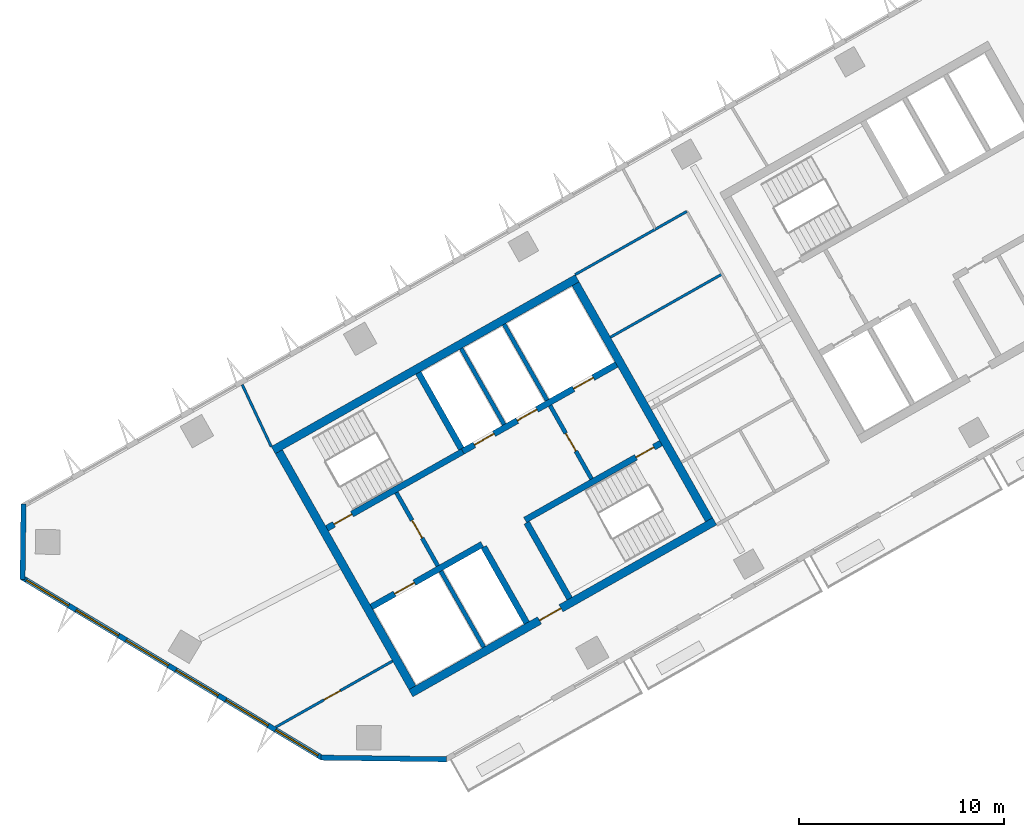
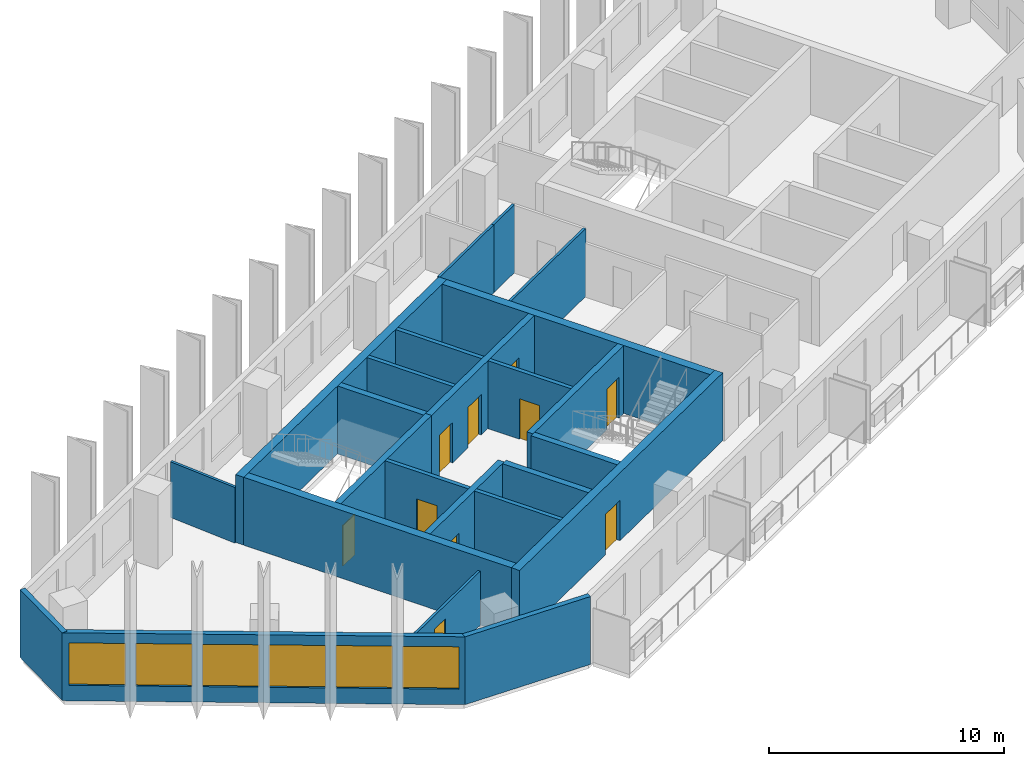
# One storey, part 2 of 8: 24 walls, 10 doors, 6 windows, 16 openings.
"""IFC4 building model written with IfcOpenShell, lengths in metres."""

from ifc_helpers import new_model, si_unit, direction, frame, frame_2d, origin, place, context, subcontext, project, spatial, rectangle, extrude, material, layer, layer_set, type_object, element, fill, save


model = new_model("IFC4")

# Units and contexts
model_context = context("Model", 3, precision=1e-05, world=origin(), true_north=direction((0.0, 1.0)))
body_context = subcontext(model_context, "Body", "Model", "MODEL_VIEW")
ifc_project = project(units=[si_unit("LENGTHUNIT", "METRE"), si_unit("AREAUNIT", "SQUARE_METRE"), si_unit("VOLUMEUNIT", "CUBIC_METRE"), si_unit("PLANEANGLEUNIT", "RADIAN"), si_unit("MASSUNIT", "GRAM", prefix="KILO")], contexts=[model_context])

# Site, building, storey
site_placement = place(None, origin())
site = spatial("IfcSite", under=ifc_project, at=site_placement, CompositionType="ELEMENT")
building_placement = place(site_placement, origin())
building = spatial("IfcBuilding", under=site, at=building_placement, Name="Binnacle Exchange Tower", CompositionType="ELEMENT")
storey_placement = place(building_placement, frame((0.0, 0.0, 262.699951171875)))
storey = spatial("IfcBuildingStorey", under=building, at=storey_placement, Name="L58", CompositionType="ELEMENT", Elevation=262.699951171875)

# Wall, opening, door
ifc_material_1 = material(Name="Concrete C70/85", Category="concrete")
ifc_layer_1 = layer(ifc_material_1, 0.300048828125)
ifc_layer_set_1 = layer_set([ifc_layer_1], Name="Core wall - front 300")
wall_type_1 = type_object("IfcWallType", Name="Core wall - front 300", PredefinedType="SOLIDWALL", material=ifc_layer_set_1)
wall_1_placement = place(storey_placement, frame((-41.72998046875, 33.862548828125, 0.0), z_axis=(0.0, 0.0, 1.0), x_axis=(0.870350800578, 0.492432212525, 0.0)))
wall_1 = element("IfcWall", 1, at=wall_1_placement, inside=storey, type_object=wall_type_1, Name="Core wall CRWA2", PredefinedType="SOLIDWALL", context=body_context, shape_type="SweptSolid", body=[
    extrude(rectangle(XDim=6.19970703125, YDim=0.300048828125, at=frame_2d((3.099853515625, 0.0))), origin(), (0.0, 0.0, 1.0), 3.52001953125),
])
opening_1_placement = place(wall_1_placement, frame((1.300048828125, 0.0, 0.0)))
opening_1 = element("IfcOpeningElement", 2, at=opening_1_placement, cuts=wall_1, Name="Opening LD12", PredefinedType="OPENING", context=body_context, shape_type="SweptSolid", body=[
    extrude(rectangle(XDim=1.10009765625, YDim=2.10009765625, at=frame_2d((0.550048828125, 1.050048828125))), frame((0.0, 0.159912109375, 0.0), z_axis=(0.0, -1.0, 0.0), x_axis=(1.0, 0.0, 0.0)), (0.0, 0.0, 1.0), 0.320068359375),
])
ifc_material_2 = material(Name="Steel door leaf", Category="steel")
door_type_1 = type_object("IfcDoorType", Name="Fire door - lift landing 1100", OperationType="NOTDEFINED", PredefinedType="DOOR", material=ifc_material_2)
door_1_placement = place(opening_1_placement, origin())
door_1 = element("IfcDoor", 3, at=door_1_placement, inside=storey, type_object=door_type_1, Name="Landing door LD12 L58", OperationType="DOUBLE_DOOR_SLIDING", OverallHeight=2.10009765625, OverallWidth=1.10009765625, PredefinedType="DOOR", context=body_context, shape_type="SweptSolid", body=[
    extrude(rectangle(XDim=1.10009765625, YDim=2.10009765625, at=frame_2d((0.550048828125, 1.050048828125))), frame((0.0, 0.02490234375, 0.0), z_axis=(0.0, -1.0, 0.0), x_axis=(1.0, 0.0, 0.0)), (0.0, 0.0, 1.0), 0.050048828125),
])
fill(opening_1, door_1)

# Wall, openings, doors
wall_2_placement = place(storey_placement, frame((-37.281982421875, 41.4345703125, 0.0), z_axis=(0.0, 0.0, 1.0), x_axis=(0.870361315115, 0.492413628113, 0.0)))
wall_2 = element("IfcWall", 4, at=wall_2_placement, inside=storey, type_object=wall_type_1, Name="Core wall CRWA5", PredefinedType="SOLIDWALL", context=body_context, shape_type="SweptSolid", body=[
    extrude(rectangle(XDim=8.599609375, YDim=0.300048828125, at=frame_2d((4.2998046875, 0.0))), origin(), (0.0, 0.0, 1.0), 3.52001953125),
])
opening_2_placement = place(wall_2_placement, frame((0.650146484375, 0.0, 0.0)))
opening_2 = element("IfcOpeningElement", 5, at=opening_2_placement, cuts=wall_2, Name="Opening LD9", PredefinedType="OPENING", context=body_context, shape_type="SweptSolid", body=[
    extrude(rectangle(XDim=1.10009765625, YDim=2.10009765625, at=frame_2d((0.550048828125, 1.050048828125))), frame((0.0, 0.159912109375, 0.0), z_axis=(0.0, -1.0, 0.0), x_axis=(1.0, 0.0, 0.0)), (0.0, 0.0, 1.0), 0.320068359375),
])
opening_3_placement = place(wall_2_placement, frame((3.050048828125, 0.0, 0.0)))
opening_3 = element("IfcOpeningElement", 6, at=opening_3_placement, cuts=wall_2, Name="Opening LD10", PredefinedType="OPENING", context=body_context, shape_type="SweptSolid", body=[
    extrude(rectangle(XDim=1.10009765625, YDim=2.10009765625, at=frame_2d((0.550048828125, 1.050048828125))), frame((0.0, 0.159912109375, 0.0), z_axis=(0.0, -1.0, 0.0), x_axis=(1.0, 0.0, 0.0)), (0.0, 0.0, 1.0), 0.320068359375),
])
opening_4_placement = place(wall_2_placement, frame((6.199951171875, 0.0, 0.0)))
opening_4 = element("IfcOpeningElement", 7, at=opening_4_placement, cuts=wall_2, Name="Opening LD13", PredefinedType="OPENING", context=body_context, shape_type="SweptSolid", body=[
    extrude(rectangle(XDim=1.10009765625, YDim=2.10009765625, at=frame_2d((0.550048828125, 1.050048828125))), frame((0.0, 0.159912109375, 0.0), z_axis=(0.0, -1.0, 0.0), x_axis=(1.0, 0.0, 0.0)), (0.0, 0.0, 1.0), 0.320068359375),
])
door_2_placement = place(opening_2_placement, origin())
door_2 = element("IfcDoor", 8, at=door_2_placement, inside=storey, type_object=door_type_1, Name="Landing door LD9 L58", OperationType="DOUBLE_DOOR_SLIDING", OverallHeight=2.10009765625, OverallWidth=1.10009765625, PredefinedType="DOOR", context=body_context, shape_type="SweptSolid", body=[
    extrude(rectangle(XDim=1.10009765625, YDim=2.10009765625, at=frame_2d((0.550048828125, 1.050048828125))), frame((0.0, 0.02490234375, 0.0), z_axis=(0.0, -1.0, 0.0), x_axis=(1.0, 0.0, 0.0)), (0.0, 0.0, 1.0), 0.050048828125),
])
fill(opening_2, door_2)
door_3_placement = place(opening_3_placement, origin())
door_3 = element("IfcDoor", 9, at=door_3_placement, inside=storey, type_object=door_type_1, Name="Landing door LD10 L58", OperationType="DOUBLE_DOOR_SLIDING", OverallHeight=2.10009765625, OverallWidth=1.10009765625, PredefinedType="DOOR", context=body_context, shape_type="SweptSolid", body=[
    extrude(rectangle(XDim=1.10009765625, YDim=2.10009765625, at=frame_2d((0.550048828125, 1.050048828125))), frame((0.0, 0.02490234375, 0.0), z_axis=(0.0, -1.0, 0.0), x_axis=(1.0, 0.0, 0.0)), (0.0, 0.0, 1.0), 0.050048828125),
])
fill(opening_3, door_3)
door_4_placement = place(opening_4_placement, origin())
door_4 = element("IfcDoor", 10, at=door_4_placement, inside=storey, type_object=door_type_1, Name="Landing door LD13 L58", OperationType="DOUBLE_DOOR_SLIDING", OverallHeight=2.10009765625, OverallWidth=1.10009765625, PredefinedType="DOOR", context=body_context, shape_type="SweptSolid", body=[
    extrude(rectangle(XDim=1.10009765625, YDim=2.10009765625, at=frame_2d((0.550048828125, 1.050048828125))), frame((0.0, 0.02490234375, 0.0), z_axis=(0.0, -1.0, 0.0), x_axis=(1.0, 0.0, 0.0)), (0.0, 0.0, 1.0), 0.050048828125),
])
fill(opening_4, door_4)

# Wall
wall_3_placement = place(storey_placement, frame((-36.260009765625, 36.784912109375, 0.0), z_axis=(0.0, 0.0, 1.0), x_axis=(0.492422543467, -0.870356271124, 0.0)))
element("IfcWall", 11, at=wall_3_placement, inside=storey, type_object=wall_type_1, Name="Core wall CRWA13", PredefinedType="SOLIDWALL", context=body_context, shape_type="SweptSolid", body=[
    extrude(rectangle(XDim=4.25, YDim=0.300048828125, at=frame_2d((2.125, 0.0))), origin(), (0.0, 0.0, 1.0), 3.52001953125),
])

# Wall, opening, door
ifc_layer_2 = layer(ifc_material_1, 0.39990234375)
ifc_layer_set_2 = layer_set([ifc_layer_2], Name="Core wall - outer 400")
wall_type_2 = type_object("IfcWallType", Name="Core wall - outer 400", PredefinedType="SOLIDWALL", material=ifc_layer_set_2)
wall_4_placement = place(storey_placement, frame((-39.81298828125, 29.661865234375, 0.0), z_axis=(0.0, 0.0, 1.0), x_axis=(0.870350116061, 0.492433422375, 0.0)))
wall_4 = element("IfcWall", 12, at=wall_4_placement, inside=storey, type_object=wall_type_2, Name="Core wall CRWA1", PredefinedType="SOLIDWALL", context=body_context, shape_type="SweptSolid", body=[
    extrude(rectangle(XDim=17.0, YDim=0.39990234375, at=frame_2d((8.5, 0.0))), origin(), (0.0, 0.0, 1.0), 3.52001953125),
])
opening_5_placement = place(wall_4_placement, frame((7.199951171875, 0.0, 0.0)))
opening_5 = element("IfcOpeningElement", 13, at=opening_5_placement, cuts=wall_4, Name="Opening DA7", PredefinedType="OPENING", context=body_context, shape_type="SweptSolid", body=[
    extrude(rectangle(XDim=1.199951171875, YDim=2.10009765625, at=frame_2d((0.60009765625, 1.050048828125))), frame((0.0, 0.2099609375, 0.0), z_axis=(0.0, -1.0, 0.0), x_axis=(1.0, 0.0, 0.0)), (0.0, 0.0, 1.0), 0.419921875),
])
door_type_2 = type_object("IfcDoorType", Name="Fire door 1200", OperationType="NOTDEFINED", PredefinedType="DOOR", material=ifc_material_2)
door_5_placement = place(opening_5_placement, frame((1.199951171875, 0.0, 0.0), z_axis=(0.0, 0.0, 1.0), x_axis=(-1.0, 0.0, 0.0)))
door_5 = element("IfcDoor", 14, at=door_5_placement, inside=storey, type_object=door_type_2, Name="Lift lobby entrance door core A", OperationType="SINGLE_SWING_RIGHT", OverallHeight=2.10009765625, OverallWidth=1.199951171875, PredefinedType="DOOR", context=body_context, shape_type="SweptSolid", body=[
    extrude(rectangle(XDim=1.199951171875, YDim=2.10009765625, at=frame_2d((0.60009765625, 1.050048828125))), frame((0.0, 0.02490234375, 0.0), z_axis=(0.0, -1.0, 0.0), x_axis=(1.0, 0.0, 0.0)), (0.0, 0.0, 1.0), 0.050048828125),
])
fill(opening_5, door_5)

# Walls
wall_5_placement = place(storey_placement, frame((-46.510009765625, 41.498779296875, 0.0), z_axis=(0.0, 0.0, 1.0), x_axis=(0.870356271124, 0.492422543467, 0.0)))
element("IfcWall", 15, at=wall_5_placement, inside=storey, type_object=wall_type_2, Name="Core wall CRWA6", PredefinedType="SOLIDWALL", context=body_context, shape_type="SweptSolid", body=[
    extrude(rectangle(XDim=16.999755859375, YDim=0.39990234375, at=frame_2d((8.5, 0.0))), origin(), (0.0, 0.0, 1.0), 3.52001953125),
])
for number, where, z_axis, x_axis, name in (
    (16, (-46.237548828125, 41.423095703125, 0.0), (0.0, 0.0, 1.0), (0.492421663121, -0.870356769198, 0.0), "Core wall CRWA7"),
    (17, (-31.78955078125, 49.597412109375, 0.0), (0.0, 0.0, 1.0), (0.492421663121, -0.870356769198, 0.0), "Core wall CRWA22"),
):
    element("IfcWall", number, at=place(storey_placement, frame(where, z_axis=z_axis, x_axis=x_axis)), inside=storey, type_object=wall_type_2, Name=name, PredefinedType="SOLIDWALL", context=body_context, shape_type="SweptSolid", body=[
        extrude(rectangle(XDim=13.199951171875, YDim=0.39990234375, at=frame_2d((6.60009765625, 0.0))), origin(), (0.0, 0.0, 1.0), 3.52001953125),
    ])

# Wall, opening, door
ifc_layer_3 = layer(ifc_material_1, 0.300048828125)
ifc_layer_set_3 = layer_set([ifc_layer_3], Name="Core wall - stair 300")
wall_type_3 = type_object("IfcWallType", Name="Core wall - stair 300", PredefinedType="SOLIDWALL", material=ifc_layer_set_3)
wall_6_placement = place(storey_placement, frame((-34.2451171875, 38.097412109375, 0.0), z_axis=(0.0, 0.0, 1.0), x_axis=(0.870356351998, 0.492422400523, 0.0)))
wall_6 = element("IfcWall", 18, at=wall_6_placement, inside=storey, type_object=wall_type_3, Name="Core wall CRWA3", PredefinedType="SOLIDWALL", context=body_context, shape_type="SweptSolid", body=[
    extrude(rectangle(XDim=7.60009765625, YDim=0.300048828125, at=frame_2d((3.800048828125, 0.0))), origin(), (0.0, 0.0, 1.0), 3.52001953125),
])
opening_6_placement = place(wall_6_placement, frame((6.199951171875, 0.0, 0.0)))
opening_6 = element("IfcOpeningElement", 19, at=opening_6_placement, cuts=wall_6, Name="Opening DA2", PredefinedType="OPENING", context=body_context, shape_type="SweptSolid", body=[
    extrude(rectangle(XDim=1.0, YDim=2.10009765625, at=frame_2d((0.5, 1.050048828125))), frame((0.0, 0.159912109375, 0.0), z_axis=(0.0, -1.0, 0.0), x_axis=(1.0, 0.0, 0.0)), (0.0, 0.0, 1.0), 0.320068359375),
])
door_type_3 = type_object("IfcDoorType", Name="Fire door 1000", OperationType="NOTDEFINED", PredefinedType="DOOR", material=ifc_material_2)
door_6_placement = place(opening_6_placement, frame((1.0, 0.0, 0.0), z_axis=(0.0, 0.0, 1.0), x_axis=(-1.0, 0.0, 0.0)))
door_6 = element("IfcDoor", 20, at=door_6_placement, inside=storey, type_object=door_type_3, Name="Stair door ST-A2", OperationType="SINGLE_SWING_LEFT", OverallHeight=2.10009765625, OverallWidth=1.0, PredefinedType="DOOR", context=body_context, shape_type="SweptSolid", body=[
    extrude(rectangle(XDim=1.0, YDim=2.10009765625, at=frame_2d((0.5, 1.050048828125))), frame((0.0, 0.02490234375, 0.0), z_axis=(0.0, -1.0, 0.0), x_axis=(1.0, 0.0, 0.0)), (0.0, 0.0, 1.0), 0.050048828125),
])
fill(opening_6, door_6)

wall_7_placement = place(storey_placement, frame((-43.896728515625, 37.692138671875, 0.0), z_axis=(0.0, 0.0, 1.0), x_axis=(0.870356351998, 0.492422400523, 0.0)))
wall_7 = element("IfcWall", 21, at=wall_7_placement, inside=storey, type_object=wall_type_3, Name="Core wall CRWA4", PredefinedType="SOLIDWALL", context=body_context, shape_type="SweptSolid", body=[
    extrude(rectangle(XDim=7.60009765625, YDim=0.300048828125, at=frame_2d((3.800048828125, 0.0))), origin(), (0.0, 0.0, 1.0), 3.52001953125),
])
opening_7_placement = place(wall_7_placement, frame((0.39990234375, 0.0, 0.0)))
opening_7 = element("IfcOpeningElement", 22, at=opening_7_placement, cuts=wall_7, Name="Opening DA1", PredefinedType="OPENING", context=body_context, shape_type="SweptSolid", body=[
    extrude(rectangle(XDim=1.0, YDim=2.10009765625, at=frame_2d((0.5, 1.050048828125))), frame((0.0, 0.159912109375, 0.0), z_axis=(0.0, -1.0, 0.0), x_axis=(1.0, 0.0, 0.0)), (0.0, 0.0, 1.0), 0.320068359375),
])
door_7_placement = place(opening_7_placement, origin())
door_7 = element("IfcDoor", 23, at=door_7_placement, inside=storey, type_object=door_type_3, Name="Stair door ST-A1", OperationType="SINGLE_SWING_LEFT", OverallHeight=2.10009765625, OverallWidth=1.0, PredefinedType="DOOR", context=body_context, shape_type="SweptSolid", body=[
    extrude(rectangle(XDim=1.0, YDim=2.10009765625, at=frame_2d((0.5, 1.050048828125))), frame((0.0, 0.02490234375, 0.0), z_axis=(0.0, -1.0, 0.0), x_axis=(1.0, 0.0, 0.0)), (0.0, 0.0, 1.0), 0.050048828125),
])
fill(opening_7, door_7)

# Walls
for number, where, z_axis, x_axis, name in (
    (24, (-39.44873046875, 45.263916015625, 0.0), (0.0, 0.0, 1.0), (0.492422543467, -0.870356271124, 0.0), "Core wall CRWA14"),
    (25, (-34.171142578125, 37.966796875, 0.0), (0.0, 0.0, 1.0), (0.492422543467, -0.870356271124, 0.0), "Core wall CRWA16"),
):
    element("IfcWall", number, at=place(storey_placement, frame(where, z_axis=z_axis, x_axis=x_axis)), inside=storey, type_object=wall_type_3, Name=name, PredefinedType="SOLIDWALL", context=body_context, shape_type="SweptSolid", body=[
        extrude(rectangle(XDim=4.25, YDim=0.300048828125, at=frame_2d((2.125, 0.0))), origin(), (0.0, 0.0, 1.0), 3.52001953125),
    ])
ifc_material_3 = material(Name="Bronze aluminium cladding", Category="aluminium")
ifc_layer_4 = layer(ifc_material_3, 0.25)
ifc_layer_set_4 = layer_set([ifc_layer_4], Name="External wall - window wall 250")
wall_type_4 = type_object("IfcWallType", Name="External wall - window wall 250", PredefinedType="STANDARD", material=ifc_layer_set_4)
wall_8_placement = place(storey_placement, frame((-58.717041015625, 35.208251953125, 0.0), z_axis=(0.0, 0.0, 1.0), x_axis=(0.01310512158, 0.999914124207, 0.0)))
element("IfcWall", 26, at=wall_8_placement, inside=storey, type_object=wall_type_4, Name="External wall EW-H04 L58", PredefinedType="STANDARD", context=body_context, shape_type="SweptSolid", body=[
    extrude(rectangle(XDim=3.669921875, YDim=0.25, at=frame_2d((1.8349609375, 0.0))), origin(), (0.0, 0.0, 1.0), 3.52001953125),
])

# Wall, openings, windows
wall_9_placement = place(storey_placement, frame((-44.115234375, 26.507080078125, 0.0), z_axis=(0.0, 0.0, 1.0), x_axis=(-0.857166583633, 0.515039268311, 0.0)))
wall_9 = element("IfcWall", 27, at=wall_9_placement, inside=storey, type_object=wall_type_4, Name="External wall EW-H05 L58", PredefinedType="STANDARD", context=body_context, shape_type="SweptSolid", body=[
    extrude(rectangle(XDim=17.105712890625, YDim=0.25, at=frame_2d((8.552734375, 0.0))), origin(), (0.0, 0.0, 1.0), 3.52001953125),
])
opening_8_placement = place(wall_9_placement, frame((14.4169921875, 0.0, 0.800048828125)))
opening_8 = element("IfcOpeningElement", 28, at=opening_8_placement, cuts=wall_9, Name="Opening WR2", PredefinedType="OPENING", context=body_context, shape_type="SweptSolid", body=[
    extrude(rectangle(XDim=2.39990234375, YDim=2.199951171875, at=frame_2d((1.199951171875, 1.10009765625))), frame((0.0, 0.135009765625, 0.0), z_axis=(0.0, -1.0, 0.0), x_axis=(1.0, 0.0, 0.0)), (0.0, 0.0, 1.0), 0.27001953125),
])
opening_9_placement = place(wall_9_placement, frame((11.583740234375, 0.0, 0.800048828125)))
opening_9 = element("IfcOpeningElement", 29, at=opening_9_placement, cuts=wall_9, Name="Opening WR2", PredefinedType="OPENING", context=body_context, shape_type="SweptSolid", body=[
    extrude(rectangle(XDim=2.39990234375, YDim=2.199951171875, at=frame_2d((1.199951171875, 1.10009765625))), frame((0.0, 0.135009765625, 0.0), z_axis=(0.0, -1.0, 0.0), x_axis=(1.0, 0.0, 0.0)), (0.0, 0.0, 1.0), 0.27001953125),
])
opening_10_placement = place(wall_9_placement, frame((8.75048828125, 0.0, 0.800048828125)))
opening_10 = element("IfcOpeningElement", 30, at=opening_10_placement, cuts=wall_9, Name="Opening WR2", PredefinedType="OPENING", context=body_context, shape_type="SweptSolid", body=[
    extrude(rectangle(XDim=2.39990234375, YDim=2.199951171875, at=frame_2d((1.199951171875, 1.10009765625))), frame((0.0, 0.135009765625, 0.0), z_axis=(0.0, -1.0, 0.0), x_axis=(1.0, 0.0, 0.0)), (0.0, 0.0, 1.0), 0.27001953125),
])
opening_11_placement = place(wall_9_placement, frame((5.9169921875, 0.0, 0.800048828125)))
opening_11 = element("IfcOpeningElement", 31, at=opening_11_placement, cuts=wall_9, Name="Opening WR2", PredefinedType="OPENING", context=body_context, shape_type="SweptSolid", body=[
    extrude(rectangle(XDim=2.39990234375, YDim=2.199951171875, at=frame_2d((1.199951171875, 1.10009765625))), frame((0.0, 0.135009765625, 0.0), z_axis=(0.0, -1.0, 0.0), x_axis=(1.0, 0.0, 0.0)), (0.0, 0.0, 1.0), 0.27001953125),
])
opening_12_placement = place(wall_9_placement, frame((3.083740234375, 0.0, 0.800048828125)))
opening_12 = element("IfcOpeningElement", 32, at=opening_12_placement, cuts=wall_9, Name="Opening WR2", PredefinedType="OPENING", context=body_context, shape_type="SweptSolid", body=[
    extrude(rectangle(XDim=2.39990234375, YDim=2.199951171875, at=frame_2d((1.199951171875, 1.10009765625))), frame((0.0, 0.135009765625, 0.0), z_axis=(0.0, -1.0, 0.0), x_axis=(1.0, 0.0, 0.0)), (0.0, 0.0, 1.0), 0.27001953125),
])
opening_13_placement = place(wall_9_placement, frame((0.25048828125, 0.0, 0.800048828125)))
opening_13 = element("IfcOpeningElement", 33, at=opening_13_placement, cuts=wall_9, Name="Opening WR2", PredefinedType="OPENING", context=body_context, shape_type="SweptSolid", body=[
    extrude(rectangle(XDim=2.39990234375, YDim=2.199951171875, at=frame_2d((1.199951171875, 1.10009765625))), frame((0.0, 0.135009765625, 0.0), z_axis=(0.0, -1.0, 0.0), x_axis=(1.0, 0.0, 0.0)), (0.0, 0.0, 1.0), 0.27001953125),
])
ifc_material_4 = material(Name="Bronze anodised aluminium frame", Category="aluminium")
window_type = type_object("IfcWindowType", Name="WR2 WINDOW 2400x2200", PartitioningType="SINGLE_PANEL", PredefinedType="WINDOW", material=ifc_material_4)
window_1_placement = place(opening_8_placement, origin())
window_1 = element("IfcWindow", 34, at=window_1_placement, inside=storey, type_object=window_type, Name="Window WR2 L58", OverallHeight=2.199951171875, OverallWidth=2.39990234375, PartitioningType="SINGLE_PANEL", PredefinedType="WINDOW", context=body_context, shape_type="SweptSolid", body=[
    extrude(rectangle(XDim=2.39990234375, YDim=2.199951171875, at=frame_2d((1.199951171875, 1.10009765625))), frame((0.0, 0.030029296875, 0.0), z_axis=(0.0, -1.0, 0.0), x_axis=(1.0, 0.0, 0.0)), (0.0, 0.0, 1.0), 0.06005859375),
])
fill(opening_8, window_1)
window_2_placement = place(opening_9_placement, origin())
window_2 = element("IfcWindow", 35, at=window_2_placement, inside=storey, type_object=window_type, Name="Window WR2 L58", OverallHeight=2.199951171875, OverallWidth=2.39990234375, PartitioningType="SINGLE_PANEL", PredefinedType="WINDOW", context=body_context, shape_type="SweptSolid", body=[
    extrude(rectangle(XDim=2.39990234375, YDim=2.199951171875, at=frame_2d((1.199951171875, 1.10009765625))), frame((0.0, 0.030029296875, 0.0), z_axis=(0.0, -1.0, 0.0), x_axis=(1.0, 0.0, 0.0)), (0.0, 0.0, 1.0), 0.06005859375),
])
fill(opening_9, window_2)
window_3_placement = place(opening_10_placement, origin())
window_3 = element("IfcWindow", 36, at=window_3_placement, inside=storey, type_object=window_type, Name="Window WR2 L58", OverallHeight=2.199951171875, OverallWidth=2.39990234375, PartitioningType="SINGLE_PANEL", PredefinedType="WINDOW", context=body_context, shape_type="SweptSolid", body=[
    extrude(rectangle(XDim=2.39990234375, YDim=2.199951171875, at=frame_2d((1.199951171875, 1.10009765625))), frame((0.0, 0.030029296875, 0.0), z_axis=(0.0, -1.0, 0.0), x_axis=(1.0, 0.0, 0.0)), (0.0, 0.0, 1.0), 0.06005859375),
])
fill(opening_10, window_3)
window_4_placement = place(opening_11_placement, origin())
window_4 = element("IfcWindow", 37, at=window_4_placement, inside=storey, type_object=window_type, Name="Window WR2 L58", OverallHeight=2.199951171875, OverallWidth=2.39990234375, PartitioningType="SINGLE_PANEL", PredefinedType="WINDOW", context=body_context, shape_type="SweptSolid", body=[
    extrude(rectangle(XDim=2.39990234375, YDim=2.199951171875, at=frame_2d((1.199951171875, 1.10009765625))), frame((0.0, 0.030029296875, 0.0), z_axis=(0.0, -1.0, 0.0), x_axis=(1.0, 0.0, 0.0)), (0.0, 0.0, 1.0), 0.06005859375),
])
fill(opening_11, window_4)
window_5_placement = place(opening_12_placement, origin())
window_5 = element("IfcWindow", 38, at=window_5_placement, inside=storey, type_object=window_type, Name="Window WR2 L58", OverallHeight=2.199951171875, OverallWidth=2.39990234375, PartitioningType="SINGLE_PANEL", PredefinedType="WINDOW", context=body_context, shape_type="SweptSolid", body=[
    extrude(rectangle(XDim=2.39990234375, YDim=2.199951171875, at=frame_2d((1.199951171875, 1.10009765625))), frame((0.0, 0.030029296875, 0.0), z_axis=(0.0, -1.0, 0.0), x_axis=(1.0, 0.0, 0.0)), (0.0, 0.0, 1.0), 0.06005859375),
])
fill(opening_12, window_5)
window_6_placement = place(opening_13_placement, origin())
window_6 = element("IfcWindow", 39, at=window_6_placement, inside=storey, type_object=window_type, Name="Window WR2 L58", OverallHeight=2.199951171875, OverallWidth=2.39990234375, PartitioningType="SINGLE_PANEL", PredefinedType="WINDOW", context=body_context, shape_type="SweptSolid", body=[
    extrude(rectangle(XDim=2.39990234375, YDim=2.199951171875, at=frame_2d((1.199951171875, 1.10009765625))), frame((0.0, 0.030029296875, 0.0), z_axis=(0.0, -1.0, 0.0), x_axis=(1.0, 0.0, 0.0)), (0.0, 0.0, 1.0), 0.06005859375),
])
fill(opening_13, window_6)

# Wall
wall_10_placement = place(storey_placement, frame((-38.06396484375, 26.44482421875, 0.0), z_axis=(0.0, 0.0, 1.0), x_axis=(-0.999914239143, 0.013096349097, 0.0)))
element("IfcWall", 40, at=wall_10_placement, inside=storey, type_object=wall_type_4, Name="External wall EW-H06 L58", PredefinedType="STANDARD", context=body_context, shape_type="SweptSolid", body=[
    extrude(rectangle(XDim=6.114501953125, YDim=0.25, at=frame_2d((3.05712890625, 0.0))), origin(), (0.0, 0.0, 1.0), 3.52001953125),
])

# Wall, opening, door
ifc_material_5 = material(Name="Masonry block wall", Category="masonry")
ifc_layer_5 = layer(ifc_material_5, 0.199951171875)
ifc_layer_set_5 = layer_set([ifc_layer_5], Name="Fire wall - vestibule 200")
wall_type_5 = type_object("IfcWallType", Name="Fire wall - vestibule 200", PredefinedType="PARTITIONING", material=ifc_layer_set_5)
wall_11_placement = place(storey_placement, frame((-40.515625, 39.4326171875, 0.0), z_axis=(0.0, 0.0, 1.0), x_axis=(0.492453559952, -0.87033872216, 0.0)))
wall_11 = element("IfcWall", 41, at=wall_11_placement, inside=storey, type_object=wall_type_5, Name="Core wall CRWA10", PredefinedType="PARTITIONING", context=body_context, shape_type="SweptSolid", body=[
    extrude(rectangle(XDim=4.099853515625, YDim=0.199951171875, at=frame_2d((2.0498046875, 0.0))), origin(), (0.0, 0.0, 1.0), 3.52001953125),
])
opening_14_placement = place(wall_11_placement, frame((1.550048828125, 0.0, 0.0)))
opening_14 = element("IfcOpeningElement", 42, at=opening_14_placement, cuts=wall_11, Name="Opening DA3", PredefinedType="OPENING", context=body_context, shape_type="SweptSolid", body=[
    extrude(rectangle(XDim=1.0, YDim=2.10009765625, at=frame_2d((0.5, 1.050048828125))), frame((0.0, 0.10986328125, 0.0), z_axis=(0.0, -1.0, 0.0), x_axis=(1.0, 0.0, 0.0)), (0.0, 0.0, 1.0), 0.219970703125),
])
door_8_placement = place(opening_14_placement, frame((1.0, 0.0, 0.0), z_axis=(0.0, 0.0, 1.0), x_axis=(-1.0, 0.0, 0.0)))
door_8 = element("IfcDoor", 43, at=door_8_placement, inside=storey, type_object=door_type_3, Name="Vestibule door VEST-W", OperationType="SINGLE_SWING_LEFT", OverallHeight=2.10009765625, OverallWidth=1.0, PredefinedType="DOOR", context=body_context, shape_type="SweptSolid", body=[
    extrude(rectangle(XDim=1.0, YDim=2.10009765625, at=frame_2d((0.5, 1.050048828125))), frame((0.0, 0.02490234375, 0.0), z_axis=(0.0, -1.0, 0.0), x_axis=(1.0, 0.0, 0.0)), (0.0, 0.0, 1.0), 0.050048828125),
])
fill(opening_14, door_8)

wall_12_placement = place(storey_placement, frame((-33.030517578125, 43.66748046875, 0.0), z_axis=(0.0, 0.0, 1.0), x_axis=(0.492408451753, -0.87036424366, 0.0)))
wall_12 = element("IfcWall", 44, at=wall_12_placement, inside=storey, type_object=wall_type_5, Name="Core wall CRWA19", PredefinedType="PARTITIONING", context=body_context, shape_type="SweptSolid", body=[
    extrude(rectangle(XDim=4.099853515625, YDim=0.199951171875, at=frame_2d((2.0498046875, 0.0))), origin(), (0.0, 0.0, 1.0), 3.52001953125),
])
opening_15_placement = place(wall_12_placement, frame((1.550048828125, 0.0, 0.0)))
opening_15 = element("IfcOpeningElement", 45, at=opening_15_placement, cuts=wall_12, Name="Opening DA4", PredefinedType="OPENING", context=body_context, shape_type="SweptSolid", body=[
    extrude(rectangle(XDim=1.0, YDim=2.10009765625, at=frame_2d((0.5, 1.050048828125))), frame((0.0, 0.10986328125, 0.0), z_axis=(0.0, -1.0, 0.0), x_axis=(1.0, 0.0, 0.0)), (0.0, 0.0, 1.0), 0.219970703125),
])
door_9_placement = place(opening_15_placement, origin())
door_9 = element("IfcDoor", 46, at=door_9_placement, inside=storey, type_object=door_type_3, Name="Vestibule door VEST-E", OperationType="SINGLE_SWING_RIGHT", OverallHeight=2.10009765625, OverallWidth=1.0, PredefinedType="DOOR", context=body_context, shape_type="SweptSolid", body=[
    extrude(rectangle(XDim=1.0, YDim=2.10009765625, at=frame_2d((0.5, 1.050048828125))), frame((0.0, 0.02490234375, 0.0), z_axis=(0.0, -1.0, 0.0), x_axis=(1.0, 0.0, 0.0)), (0.0, 0.0, 1.0), 0.050048828125),
])
fill(opening_15, door_9)

# Wall
ifc_material_6 = material(Name="Gypsum partition")
ifc_layer_6 = layer(ifc_material_6, 0.125)
ifc_layer_set_6 = layer_set([ifc_layer_6], Name="Partition 125")
wall_type_6 = type_object("IfcWallType", Name="Partition 125", PredefinedType="PARTITIONING", material=ifc_layer_set_6)
wall_13_placement = place(storey_placement, frame((-48.02197265625, 44.68701171875, 0.0), z_axis=(0.0, 0.0, 1.0), x_axis=(0.424510917438, -0.905422818895, 0.0)))
element("IfcWall", 47, at=wall_13_placement, inside=storey, type_object=wall_type_6, Name="Partition W01", PredefinedType="PARTITIONING", context=body_context, shape_type="SweptSolid", body=[
    extrude(rectangle(XDim=3.328857421875, YDim=0.125, at=frame_2d((1.66455078125, 0.0))), origin(), (0.0, 0.0, 1.0), 2.887939453125),
])

# Wall, opening, door
wall_14_placement = place(storey_placement, frame((-46.381103515625, 28.014892578125, 0.0), z_axis=(0.0, 0.0, 1.0), x_axis=(0.870364232693, 0.492408471139, 0.0)))
wall_14 = element("IfcWall", 48, at=wall_14_placement, inside=storey, type_object=wall_type_6, Name="Partition W02", PredefinedType="PARTITIONING", context=body_context, shape_type="SweptSolid", body=[
    extrude(rectangle(XDim=6.52734375, YDim=0.125, at=frame_2d((3.263671875, 0.0))), origin(), (0.0, 0.0, 1.0), 2.800048828125),
])
opening_16_placement = place(wall_14_placement, frame((2.699951171875, 0.0, 0.0)))
opening_16 = element("IfcOpeningElement", 49, at=opening_16_placement, cuts=wall_14, Name="Opening DL58-01", PredefinedType="OPENING", context=body_context, shape_type="SweptSolid", body=[
    extrude(rectangle(XDim=0.89990234375, YDim=2.10009765625, at=frame_2d((0.449951171875, 1.050048828125))), frame((0.0, 0.072509765625, 0.0), z_axis=(0.0, -1.0, 0.0), x_axis=(1.0, 0.0, 0.0)), (0.0, 0.0, 1.0), 0.14501953125),
])
ifc_material_7 = material(Name="Timber door leaf", Category="wood")
door_type_4 = type_object("IfcDoorType", Name="Door 900", OperationType="NOTDEFINED", PredefinedType="DOOR", material=ifc_material_7)
door_10_placement = place(opening_16_placement, origin())
door_10 = element("IfcDoor", 50, at=door_10_placement, inside=storey, type_object=door_type_4, Name="Door DL58-01", OperationType="SINGLE_SWING_LEFT", OverallHeight=2.10009765625, OverallWidth=0.89990234375, PredefinedType="DOOR", context=body_context, shape_type="SweptSolid", body=[
    extrude(rectangle(XDim=0.89990234375, YDim=2.10009765625, at=frame_2d((0.449951171875, 1.050048828125))), frame((0.0, 0.02490234375, 0.0), z_axis=(0.0, -1.0, 0.0), x_axis=(1.0, 0.0, 0.0)), (0.0, 0.0, 1.0), 0.050048828125),
])
fill(opening_16, door_10)

# Walls
wall_15_placement = place(storey_placement, frame((-31.81201171875, 50.0439453125, 0.0), z_axis=(0.0, 0.0, 1.0), x_axis=(0.870309075431, 0.492505952474, 0.0)))
element("IfcWall", 51, at=wall_15_placement, inside=storey, type_object=wall_type_6, Name="Partition W03", PredefinedType="PARTITIONING", context=body_context, shape_type="SweptSolid", body=[
    extrude(rectangle(XDim=4.49951171875, YDim=0.125, at=frame_2d((2.249755859375, 0.0))), origin(), (0.0, 0.0, 1.0), 3.52001953125),
])
wall_16_placement = place(storey_placement, frame((-30.089111328125, 46.998046875, 0.0), z_axis=(0.0, 0.0, 1.0), x_axis=(0.870424575418, 0.492301796167, 0.0)))
element("IfcWall", 52, at=wall_16_placement, inside=storey, type_object=wall_type_6, Name="Partition W04", PredefinedType="PARTITIONING", context=body_context, shape_type="SweptSolid", body=[
    extrude(rectangle(XDim=6.25, YDim=0.125, at=frame_2d((3.125, 0.0))), origin(), (0.0, 0.0, 1.0), 3.52001953125),
])
wall_17_placement = place(storey_placement, frame((-27.89599609375, 52.260009765625, 0.0), z_axis=(0.0, 0.0, 1.0), x_axis=(0.870253469837, 0.492604200384, 0.0)))
element("IfcWall", 53, at=wall_17_placement, inside=storey, type_object=wall_type_6, Name="Partition W07", PredefinedType="PARTITIONING", context=body_context, shape_type="SweptSolid", body=[
    extrude(rectangle(XDim=1.75, YDim=0.125, at=frame_2d((0.875, 0.0))), origin(), (0.0, 0.0, 1.0), 3.52001953125),
])
ifc_layer_7 = layer(ifc_material_5, 0.199951171875)
ifc_layer_set_7 = layer_set([ifc_layer_7], Name="Shaft wall 200")
wall_type_7 = type_object("IfcWallType", Name="Shaft wall 200", PredefinedType="SOLIDWALL", material=ifc_layer_set_7)
wall_18_placement = place(storey_placement, frame((-38.348876953125, 35.603271484375, 0.0), z_axis=(0.0, 0.0, 1.0), x_axis=(0.492397924348, -0.870370199454, 0.0)))
element("IfcWall", 54, at=wall_18_placement, inside=storey, type_object=wall_type_7, Name="Core wall CRWA9", PredefinedType="SOLIDWALL", context=body_context, shape_type="SweptSolid", body=[
    extrude(rectangle(XDim=4.250244140625, YDim=0.199951171875, at=frame_2d((2.125, 0.0))), origin(), (0.0, 0.0, 1.0), 3.52001953125),
])
for number, where, z_axis, x_axis, name in (
    (55, (-37.35986328125, 46.44580078125, 0.0), (0.0, 0.0, 1.0), (0.492422543467, -0.870356271124, 0.0), "Core wall CRWA17"),
    (56, (-35.27099609375, 47.627685546875, 0.0), (0.0, 0.0, 1.0), (0.492422543467, -0.870356271124, 0.0), "Core wall CRWA21"),
):
    element("IfcWall", number, at=place(storey_placement, frame(where, z_axis=z_axis, x_axis=x_axis)), inside=storey, type_object=wall_type_7, Name=name, PredefinedType="SOLIDWALL", context=body_context, shape_type="SweptSolid", body=[
        extrude(rectangle(XDim=4.25, YDim=0.199951171875, at=frame_2d((2.125, 0.0))), origin(), (0.0, 0.0, 1.0), 3.52001953125),
    ])

save(model, "model.ifc")
